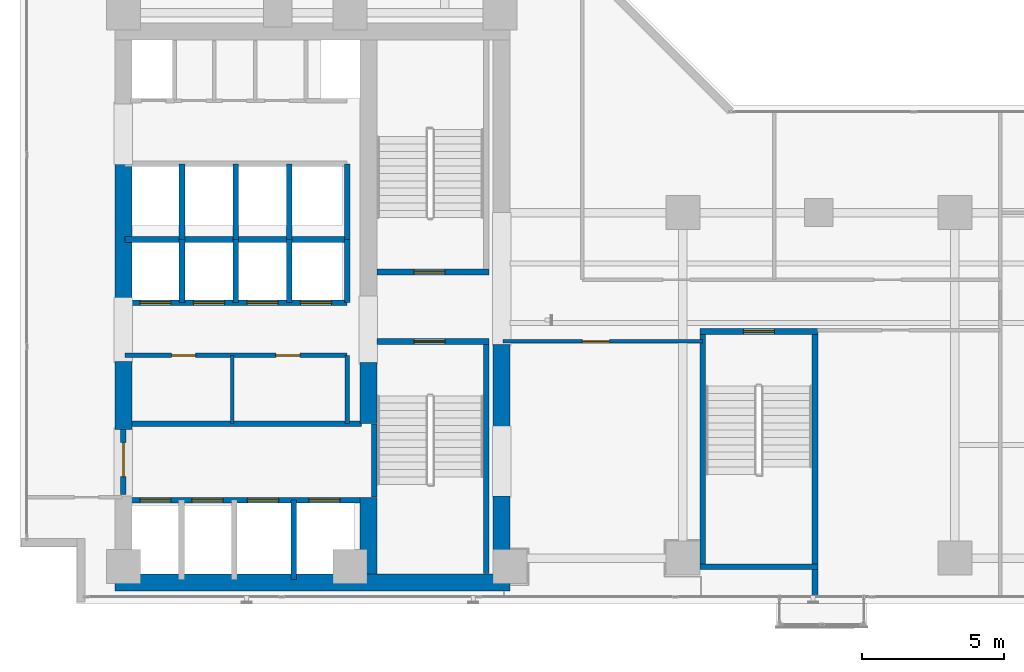
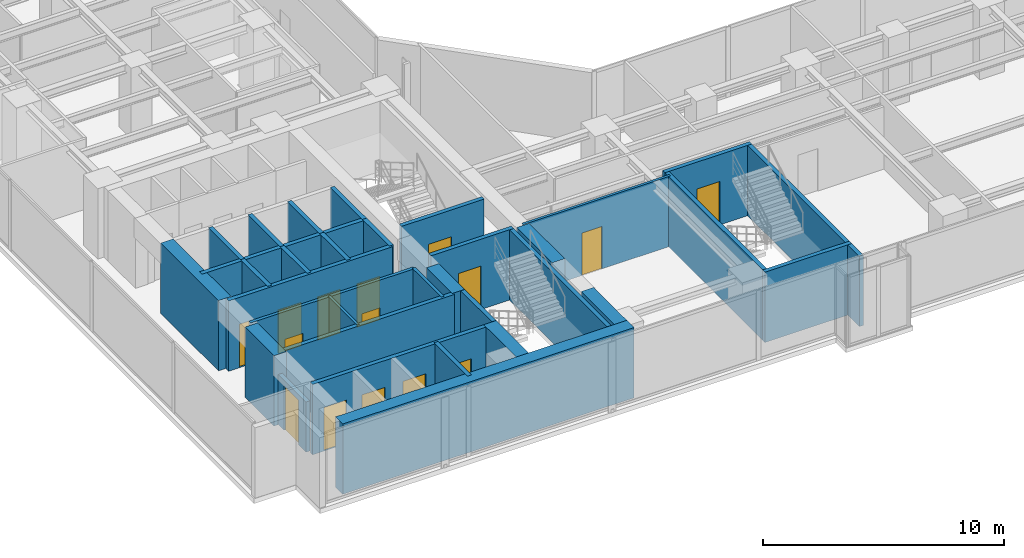
# One storey, part 19 of 24: 33 walls, 15 doors, 15 openings.
"""IFC4 building model written with IfcOpenShell, lengths in metres."""

from ifc_helpers import new_model, si_unit, direction, frame, frame_2d, origin, place, context, subcontext, project, spatial, rectangle, extrude, material, layer, layer_set, type_object, element, fill, save


model = new_model("IFC4")

# Units and contexts
model_context = context("Model", 3, precision=1e-05, world=origin(), true_north=direction((0.0, 1.0)))
body_context = subcontext(model_context, "Body", "Model", "MODEL_VIEW")
ifc_project = project(units=[si_unit("LENGTHUNIT", "METRE"), si_unit("AREAUNIT", "SQUARE_METRE"), si_unit("VOLUMEUNIT", "CUBIC_METRE"), si_unit("PLANEANGLEUNIT", "RADIAN"), si_unit("MASSUNIT", "GRAM", prefix="KILO")], contexts=[model_context])

# Site, building, storey
site_placement = place(None, origin())
site = spatial("IfcSite", under=ifc_project, at=site_placement, CompositionType="ELEMENT")
building_placement = place(site_placement, origin())
building = spatial("IfcBuilding", under=site, at=building_placement, Name="Kolvaren Waterfront Exchange", CompositionType="ELEMENT")
storey_placement = place(building_placement, frame((0.0, 0.0, 172.800048828125)))
storey = spatial("IfcBuildingStorey", under=building, at=storey_placement, Name="L44", CompositionType="ELEMENT", Elevation=172.800048828125)

# Wall, opening, door
ifc_material_1 = material(Name="Precast concrete C40/50", Category="concrete")
ifc_layer_1 = layer(ifc_material_1, 0.199951171875, Name="Precast concrete C40/50")
ifc_layer_set_1 = layer_set([ifc_layer_1], Name="Precast concrete C40/50")
wall_type_1 = type_object("IfcWallType", Name="ARC-FIRE-200", PredefinedType="PARTITIONING", material=ifc_layer_set_1)
wall_1_placement = place(storey_placement, frame((16.39990234375, 12.85009765625, 0.0), z_axis=(0.0, 0.0, 1.0), x_axis=(1.0, 0.0, 0.0)))
wall_1 = element("IfcWall", 1, at=wall_1_placement, inside=storey, type_object=wall_type_1, Name="L44 interior wall PW-L44-ST1-THROAT-S", PredefinedType="PARTITIONING", context=body_context, shape_type="SweptSolid", body=[
    extrude(rectangle(XDim=3.960205078125, YDim=0.199951171875, at=frame_2d((1.97998046875, 0.0))), origin(), (0.0, 0.0, 1.0), 3.56005859375),
])
opening_1_placement = place(wall_1_placement, frame((1.3037109375, 0.0, 0.0)))
opening_1 = element("IfcOpeningElement", 2, at=opening_1_placement, cuts=wall_1, Name="Opening FD2", PredefinedType="OPENING", context=body_context, shape_type="SweptSolid", body=[
    extrude(rectangle(XDim=1.10009765625, YDim=2.199951171875, at=frame_2d((0.550048828125, 1.10009765625))), frame((0.0, 0.10986328125, 0.0), z_axis=(0.0, -1.0, 0.0), x_axis=(1.0, 0.0, 0.0)), (0.0, 0.0, 1.0), 0.219970703125),
])
ifc_material_2 = material(Name="Pressed steel smoke-seal fire door", Category="steel")
door_type_1 = type_object("IfcDoorType", Name="ARC-FD-1100", OperationType="NOTDEFINED", PredefinedType="DOOR", material=ifc_material_2)
door_1_placement = place(opening_1_placement, frame((1.10009765625, 0.0, 0.0), z_axis=(0.0, 0.0, 1.0), x_axis=(-1.0, 0.0, 0.0)))
door_1 = element("IfcDoor", 3, at=door_1_placement, inside=storey, type_object=door_type_1, Name="L44 door DR-L44-ST1-IN (FD2)", OperationType="SINGLE_SWING_LEFT", OverallHeight=2.199951171875, OverallWidth=1.10009765625, PredefinedType="DOOR", context=body_context, shape_type="SweptSolid", body=[
    extrude(rectangle(XDim=1.10009765625, YDim=2.199951171875, at=frame_2d((0.550048828125, 1.10009765625))), frame((0.0, 0.02490234375, 0.0), z_axis=(0.0, -1.0, 0.0), x_axis=(1.0, 0.0, 0.0)), (0.0, 0.0, 1.0), 0.050048828125),
])
fill(opening_1, door_1)

wall_2_placement = place(storey_placement, frame((16.409912109375, 15.300048828125, 0.0), z_axis=(0.0, 0.0, 1.0), x_axis=(1.0, 0.0, 0.0)))
wall_2 = element("IfcWall", 4, at=wall_2_placement, inside=storey, type_object=wall_type_1, Name="L44 interior wall PW-L44-ST2-THROAT-N", PredefinedType="PARTITIONING", context=body_context, shape_type="SweptSolid", body=[
    extrude(rectangle(XDim=3.9501953125, YDim=0.199951171875, at=frame_2d((1.97509765625, 0.0))), origin(), (0.0, 0.0, 1.0), 3.56005859375),
])
opening_2_placement = place(wall_2_placement, frame((1.293701171875, 0.0, 0.0)))
opening_2 = element("IfcOpeningElement", 5, at=opening_2_placement, cuts=wall_2, Name="Opening FD2", PredefinedType="OPENING", context=body_context, shape_type="SweptSolid", body=[
    extrude(rectangle(XDim=1.10009765625, YDim=2.199951171875, at=frame_2d((0.550048828125, 1.10009765625))), frame((0.0, 0.10986328125, 0.0), z_axis=(0.0, -1.0, 0.0), x_axis=(1.0, 0.0, 0.0)), (0.0, 0.0, 1.0), 0.219970703125),
])
door_2_placement = place(opening_2_placement, origin())
door_2 = element("IfcDoor", 6, at=door_2_placement, inside=storey, type_object=door_type_1, Name="L44 door DR-L44-ST2-IN (FD2)", OperationType="SINGLE_SWING_RIGHT", OverallHeight=2.199951171875, OverallWidth=1.10009765625, PredefinedType="DOOR", context=body_context, shape_type="SweptSolid", body=[
    extrude(rectangle(XDim=1.10009765625, YDim=2.199951171875, at=frame_2d((0.550048828125, 1.10009765625))), frame((0.0, 0.02490234375, 0.0), z_axis=(0.0, -1.0, 0.0), x_axis=(1.0, 0.0, 0.0)), (0.0, 0.0, 1.0), 0.050048828125),
])
fill(opening_2, door_2)

# Wall
wall_3_placement = place(storey_placement, frame((7.5, 9.949951171875, 0.0), z_axis=(0.0, 0.0, 1.0), x_axis=(1.0, 0.0, 0.0)))
element("IfcWall", 7, at=wall_3_placement, inside=storey, type_object=wall_type_1, Name="L44 interior wall PW-L44-FF-N", PredefinedType="PARTITIONING", context=body_context, shape_type="SweptSolid", body=[
    extrude(rectangle(XDim=8.35009765625, YDim=0.199951171875, at=frame_2d((4.175048828125, 0.0))), origin(), (0.0, 0.0, 1.0), 3.56005859375),
])

# Wall, opening, door
wall_4_placement = place(storey_placement, frame((7.449951171875, 7.449951171875, 0.0), z_axis=(0.0, 0.0, 1.0), x_axis=(0.0, 1.0, 0.0)))
wall_4 = element("IfcWall", 8, at=wall_4_placement, inside=storey, type_object=wall_type_1, Name="L44 interior wall PW-L44-FF-W-DOOR", PredefinedType="PARTITIONING", context=body_context, shape_type="SweptSolid", body=[
    extrude(rectangle(XDim=2.300048828125, YDim=0.199951171875, at=frame_2d((1.14990234375, 0.0))), origin(), (0.0, 0.0, 1.0), 2.5400390625),
])
opening_3_placement = place(wall_4_placement, frame((0.63330078125, 0.0, 0.0)))
opening_3 = element("IfcOpeningElement", 9, at=opening_3_placement, cuts=wall_4, Name="Opening FD3", PredefinedType="OPENING", context=body_context, shape_type="SweptSolid", body=[
    extrude(rectangle(XDim=1.199951171875, YDim=2.25, at=frame_2d((0.60009765625, 1.125))), frame((0.0, 0.10986328125, 0.0), z_axis=(0.0, -1.0, 0.0), x_axis=(1.0, 0.0, 0.0)), (0.0, 0.0, 1.0), 0.219970703125),
])
ifc_material_3 = material(Name="Pressed steel fire door", Category="steel")
door_type_2 = type_object("IfcDoorType", Name="ARC-FD-1200", OperationType="NOTDEFINED", PredefinedType="DOOR", material=ifc_material_3)
door_3_placement = place(opening_3_placement, frame((1.199951171875, 0.0, 0.0), z_axis=(0.0, 0.0, 1.0), x_axis=(-1.0, 0.0, 0.0)))
door_3 = element("IfcDoor", 10, at=door_3_placement, inside=storey, type_object=door_type_2, Name="L44 door DR-L44-FF-OUT (FD3)", OperationType="SINGLE_SWING_RIGHT", OverallHeight=2.25, OverallWidth=1.199951171875, PredefinedType="DOOR", context=body_context, shape_type="SweptSolid", body=[
    extrude(rectangle(XDim=1.199951171875, YDim=2.25, at=frame_2d((0.60009765625, 1.125))), frame((0.0, 0.02490234375, 0.0), z_axis=(0.0, -1.0, 0.0), x_axis=(1.0, 0.0, 0.0)), (0.0, 0.0, 1.0), 0.050048828125),
])
fill(opening_3, door_3)

# Wall
ifc_material_4 = material(Name="Acoustic gypsum steel stud", Category="steel")
ifc_layer_2 = layer(ifc_material_4, 0.125, Name="Acoustic gypsum steel stud")
ifc_layer_set_2 = layer_set([ifc_layer_2], Name="Acoustic gypsum steel stud")
wall_type_2 = type_object("IfcWallType", Name="ARC-PART-125", PredefinedType="PARTITIONING", material=ifc_layer_set_2)
wall_5_placement = place(storey_placement, frame((11.300048828125, 9.949951171875, 0.0), z_axis=(0.0, 0.0, 1.0), x_axis=(0.0, 1.0, 0.0)))
element("IfcWall", 11, at=wall_5_placement, inside=storey, type_object=wall_type_2, Name="L44 interior wall PW-L44-REC-PL-MID", PredefinedType="PARTITIONING", context=body_context, shape_type="SweptSolid", body=[
    extrude(rectangle(XDim=2.41015625, YDim=0.125, at=frame_2d((1.205078125, 0.0))), origin(), (0.0, 0.0, 1.0), 3.56005859375),
])

# Wall, opening, door
wall_6_placement = place(storey_placement, frame((20.85009765625, 12.85009765625, 0.0), z_axis=(0.0, 0.0, 1.0), x_axis=(1.0, 0.0, 0.0)))
wall_6 = element("IfcWall", 12, at=wall_6_placement, inside=storey, type_object=wall_type_2, Name="L44 interior wall PW-L44-SWST3-N", PredefinedType="PARTITIONING", context=body_context, shape_type="SweptSolid", body=[
    extrude(rectangle(XDim=7.0498046875, YDim=0.125, at=frame_2d((3.52490234375, 0.0))), origin(), (0.0, 0.0, 1.0), 3.56005859375),
])
opening_4_placement = place(wall_6_placement, frame((2.800048828125, 0.0, 0.0)))
opening_4 = element("IfcOpeningElement", 13, at=opening_4_placement, cuts=wall_6, Name="Opening D02", PredefinedType="OPENING", context=body_context, shape_type="SweptSolid", body=[
    extrude(rectangle(XDim=0.949951171875, YDim=2.14990234375, at=frame_2d((0.47509765625, 1.074951171875))), frame((0.0, 0.072509765625, 0.0), z_axis=(0.0, -1.0, 0.0), x_axis=(1.0, 0.0, 0.0)), (0.0, 0.0, 1.0), 0.14501953125),
])
ifc_material_5 = material(Name="Oak veneer acoustic timber", Category="wood")
door_type_3 = type_object("IfcDoorType", Name="ARC-DR-950", OperationType="NOTDEFINED", PredefinedType="DOOR", material=ifc_material_5)
door_4_placement = place(opening_4_placement, origin())
door_4 = element("IfcDoor", 14, at=door_4_placement, inside=storey, type_object=door_type_3, Name="L44 door DR-L44-SWST3-D (D02)", OperationType="SINGLE_SWING_LEFT", OverallHeight=2.14990234375, OverallWidth=0.949951171875, PredefinedType="DOOR", context=body_context, shape_type="SweptSolid", body=[
    extrude(rectangle(XDim=0.949951171875, YDim=2.14990234375, at=frame_2d((0.47509765625, 1.074951171875))), frame((0.0, 0.02490234375, 0.0), z_axis=(0.0, -1.0, 0.0), x_axis=(1.0, 0.0, 0.0)), (0.0, 0.0, 1.0), 0.050048828125),
])
fill(opening_4, door_4)

# Wall, openings, doors
ifc_material_6 = material(Name="Gypsum fireboard steel stud", Category="steel")
ifc_layer_3 = layer(ifc_material_6, 0.14990234375, Name="Gypsum fireboard steel stud")
ifc_layer_set_3 = layer_set([ifc_layer_3], Name="Gypsum fireboard steel stud")
wall_type_3 = type_object("IfcWallType", Name="ARC-PART-150", PredefinedType="PARTITIONING", material=ifc_layer_set_3)
wall_7_placement = place(storey_placement, frame((7.5, 12.360107421875, 0.0), z_axis=(0.0, 0.0, 1.0), x_axis=(1.0, 0.0, 0.0)))
wall_7 = element("IfcWall", 15, at=wall_7_placement, inside=storey, type_object=wall_type_3, Name="L44 interior wall PW-L44-REC-PL-N", PredefinedType="PARTITIONING", context=body_context, shape_type="SweptSolid", body=[
    extrude(rectangle(XDim=7.85009765625, YDim=0.14990234375, at=frame_2d((3.925048828125, 0.0))), origin(), (0.0, 0.0, 1.0), 3.56005859375),
])
opening_5_placement = place(wall_7_placement, frame((1.64990234375, 0.0, 0.0)))
opening_5 = element("IfcOpeningElement", 16, at=opening_5_placement, cuts=wall_7, Name="Opening D01", PredefinedType="OPENING", context=body_context, shape_type="SweptSolid", body=[
    extrude(rectangle(XDim=0.85009765625, YDim=2.14990234375, at=frame_2d((0.425048828125, 1.074951171875))), frame((0.0, 0.0849609375, 0.0), z_axis=(0.0, -1.0, 0.0), x_axis=(1.0, 0.0, 0.0)), (0.0, 0.0, 1.0), 0.169921875),
])
opening_6_placement = place(wall_7_placement, frame((5.329345703125, 0.0, 0.0)))
opening_6 = element("IfcOpeningElement", 17, at=opening_6_placement, cuts=wall_7, Name="Opening D01", PredefinedType="OPENING", context=body_context, shape_type="SweptSolid", body=[
    extrude(rectangle(XDim=0.85009765625, YDim=2.14990234375, at=frame_2d((0.425048828125, 1.074951171875))), frame((0.0, 0.0849609375, 0.0), z_axis=(0.0, -1.0, 0.0), x_axis=(1.0, 0.0, 0.0)), (0.0, 0.0, 1.0), 0.169921875),
])
ifc_material_7 = material(Name="Oak veneer timber leaf", Category="wood")
door_type_4 = type_object("IfcDoorType", Name="ARC-DR-900", OperationType="NOTDEFINED", PredefinedType="DOOR", material=ifc_material_7)
door_5_placement = place(opening_5_placement, origin())
door_5 = element("IfcDoor", 18, at=door_5_placement, inside=storey, type_object=door_type_4, Name="L44 door DR-L44-REC-PL-D1 (D01)", OperationType="SINGLE_SWING_LEFT", OverallHeight=2.14990234375, OverallWidth=0.85009765625, PredefinedType="DOOR", context=body_context, shape_type="SweptSolid", body=[
    extrude(rectangle(XDim=0.85009765625, YDim=2.14990234375, at=frame_2d((0.425048828125, 1.074951171875))), frame((0.0, 0.02490234375, 0.0), z_axis=(0.0, -1.0, 0.0), x_axis=(1.0, 0.0, 0.0)), (0.0, 0.0, 1.0), 0.050048828125),
])
fill(opening_5, door_5)
door_6_placement = place(opening_6_placement, origin())
door_6 = element("IfcDoor", 19, at=door_6_placement, inside=storey, type_object=door_type_4, Name="L44 door DR-L44-REC-PL-D2 (D01)", OperationType="SINGLE_SWING_RIGHT", OverallHeight=2.14990234375, OverallWidth=0.85009765625, PredefinedType="DOOR", context=body_context, shape_type="SweptSolid", body=[
    extrude(rectangle(XDim=0.85009765625, YDim=2.14990234375, at=frame_2d((0.425048828125, 1.074951171875))), frame((0.0, 0.02490234375, 0.0), z_axis=(0.0, -1.0, 0.0), x_axis=(1.0, 0.0, 0.0)), (0.0, 0.0, 1.0), 0.050048828125),
])
fill(opening_6, door_6)

# Walls
wall_8_placement = place(storey_placement, frame((15.35009765625, 9.949951171875, 0.0), z_axis=(0.0, 0.0, 1.0), x_axis=(0.0, 1.0, 0.0)))
element("IfcWall", 20, at=wall_8_placement, inside=storey, type_object=wall_type_3, Name="L44 interior wall PW-L44-REC-PL-E", PredefinedType="PARTITIONING", context=body_context, shape_type="SweptSolid", body=[
    extrude(rectangle(XDim=2.41015625, YDim=0.14990234375, at=frame_2d((1.205078125, 0.0))), origin(), (0.0, 0.0, 1.0), 3.56005859375),
])
ifc_material_8 = material(Name="Concrete C40/50", Category="concrete")
ifc_layer_4 = layer(ifc_material_8, 0.199951171875, Name="Concrete C40/50")
ifc_layer_set_4 = layer_set([ifc_layer_4], Name="Concrete C40/50")
wall_type_4 = type_object("IfcWallType", Name="ARC-SHAFT-200", PredefinedType="PARTITIONING", material=ifc_layer_set_4)
wall_9_placement = place(storey_placement, frame((16.300048828125, 7.360107421875, 0.0), z_axis=(0.0, 0.0, 1.0), x_axis=(0.0, 1.0, 0.0)))
element("IfcWall", 21, at=wall_9_placement, inside=storey, type_object=wall_type_4, Name="L44 structural stairwell wall PW-L44-ST1-W", PredefinedType="SHEAR", context=body_context, shape_type="SweptSolid", body=[
    extrude(rectangle(XDim=2.579833984375, YDim=0.199951171875, at=frame_2d((1.2900390625, 0.0))), origin(), (0.0, 0.0, 1.0), 3.56005859375),
])
wall_10_placement = place(storey_placement, frame((20.260009765625, 4.659912109375, 0.0), z_axis=(0.0, 0.0, 1.0), x_axis=(0.0, 1.0, 0.0)))
element("IfcWall", 22, at=wall_10_placement, inside=storey, type_object=wall_type_4, Name="L44 structural stairwell wall PW-L44-ST1-E", PredefinedType="SHEAR", context=body_context, shape_type="SweptSolid", body=[
    extrude(rectangle(XDim=8.090087890625, YDim=0.199951171875, at=frame_2d((4.044921875, 0.0))), origin(), (0.0, 0.0, 1.0), 3.56005859375),
])
wall_11_placement = place(storey_placement, frame((27.89990234375, 5.0, 0.0), z_axis=(0.0, 0.0, 1.0), x_axis=(0.0, 1.0, 0.0)))
element("IfcWall", 23, at=wall_11_placement, inside=storey, type_object=wall_type_4, Name="L44 structural stairwell wall PW-L44-ST3-W", PredefinedType="SHEAR", context=body_context, shape_type="SweptSolid", body=[
    extrude(rectangle(XDim=8.10009765625, YDim=0.199951171875, at=frame_2d((4.050048828125, 0.0))), origin(), (0.0, 0.0, 1.0), 3.56005859375),
])
wall_12_placement = place(storey_placement, frame((31.860107421875, 3.840087890625, 0.0), z_axis=(0.0, 0.0, 1.0), x_axis=(0.0, 1.0, 0.0)))
element("IfcWall", 24, at=wall_12_placement, inside=storey, type_object=wall_type_4, Name="L44 structural stairwell wall PW-L44-ST3-E", PredefinedType="SHEAR", context=body_context, shape_type="SweptSolid", body=[
    extrude(rectangle(XDim=9.409912109375, YDim=0.199951171875, at=frame_2d((4.705078125, 0.0))), origin(), (0.0, 0.0, 1.0), 3.56005859375),
])
wall_13_placement = place(storey_placement, frame((27.800048828125, 4.89990234375, 0.0), z_axis=(0.0, 0.0, 1.0), x_axis=(1.0, 0.0, 0.0)))
element("IfcWall", 25, at=wall_13_placement, inside=storey, type_object=wall_type_4, Name="L44 structural stairwell wall PW-L44-ST3-S", PredefinedType="SHEAR", context=body_context, shape_type="SweptSolid", body=[
    extrude(rectangle(XDim=4.159912109375, YDim=0.199951171875, at=frame_2d((2.080078125, 0.0))), origin(), (0.0, 0.0, 1.0), 3.56005859375),
])

# Wall, opening, door
wall_14_placement = place(storey_placement, frame((27.800048828125, 13.199951171875, 0.0), z_axis=(0.0, 0.0, 1.0), x_axis=(1.0, 0.0, 0.0)))
wall_14 = element("IfcWall", 26, at=wall_14_placement, inside=storey, type_object=wall_type_4, Name="L44 structural stairwell wall PW-L44-ST3-N", PredefinedType="SHEAR", context=body_context, shape_type="SweptSolid", body=[
    extrude(rectangle(XDim=4.159912109375, YDim=0.199951171875, at=frame_2d((2.080078125, 0.0))), origin(), (0.0, 0.0, 1.0), 3.56005859375),
])
opening_7_placement = place(wall_14_placement, frame((1.530029296875, 0.0, 0.0)))
opening_7 = element("IfcOpeningElement", 27, at=opening_7_placement, cuts=wall_14, Name="Opening FD2", PredefinedType="OPENING", context=body_context, shape_type="SweptSolid", body=[
    extrude(rectangle(XDim=1.10009765625, YDim=2.199951171875, at=frame_2d((0.550048828125, 1.10009765625))), frame((0.0, 0.10986328125, 0.0), z_axis=(0.0, -1.0, 0.0), x_axis=(1.0, 0.0, 0.0)), (0.0, 0.0, 1.0), 0.219970703125),
])
door_7_placement = place(opening_7_placement, frame((1.10009765625, 0.0, 0.0), z_axis=(0.0, 0.0, 1.0), x_axis=(-1.0, 0.0, 0.0)))
door_7 = element("IfcDoor", 28, at=door_7_placement, inside=storey, type_object=door_type_1, Name="L44 door DR-L44-ST3-IN (FD2)", OperationType="SINGLE_SWING_LEFT", OverallHeight=2.199951171875, OverallWidth=1.10009765625, PredefinedType="DOOR", context=body_context, shape_type="SweptSolid", body=[
    extrude(rectangle(XDim=1.10009765625, YDim=2.199951171875, at=frame_2d((0.550048828125, 1.10009765625))), frame((0.0, 0.02490234375, 0.0), z_axis=(0.0, -1.0, 0.0), x_axis=(1.0, 0.0, 0.0)), (0.0, 0.0, 1.0), 0.050048828125),
])
fill(opening_7, door_7)

# Wall, openings, doors
wall_15_placement = place(storey_placement, frame((7.5, 7.25, 0.0), z_axis=(0.0, 0.0, 1.0), x_axis=(1.0, 0.0, 0.0)))
wall_15 = element("IfcWall", 29, at=wall_15_placement, inside=storey, type_object=wall_type_4, Name="L44 interior wall PW-L44-FF-S", PredefinedType="PARTITIONING", context=body_context, shape_type="SweptSolid", body=[
    extrude(rectangle(XDim=8.35009765625, YDim=0.199951171875, at=frame_2d((4.175048828125, 0.0))), origin(), (0.0, 0.0, 1.0), 3.56005859375),
])
opening_8_placement = place(wall_15_placement, frame((0.530029296875, 0.0, 0.0)))
opening_8 = element("IfcOpeningElement", 30, at=opening_8_placement, cuts=wall_15, Name="Opening LD1", PredefinedType="OPENING", context=body_context, shape_type="SweptSolid", body=[
    extrude(rectangle(XDim=1.10009765625, YDim=2.199951171875, at=frame_2d((0.550048828125, 1.10009765625))), frame((0.0, 0.10986328125, 0.0), z_axis=(0.0, -1.0, 0.0), x_axis=(1.0, 0.0, 0.0)), (0.0, 0.0, 1.0), 0.219970703125),
])
opening_9_placement = place(wall_15_placement, frame((2.3701171875, 0.0, 0.0)))
opening_9 = element("IfcOpeningElement", 31, at=opening_9_placement, cuts=wall_15, Name="Opening LD1", PredefinedType="OPENING", context=body_context, shape_type="SweptSolid", body=[
    extrude(rectangle(XDim=1.10009765625, YDim=2.199951171875, at=frame_2d((0.550048828125, 1.10009765625))), frame((0.0, 0.10986328125, 0.0), z_axis=(0.0, -1.0, 0.0), x_axis=(1.0, 0.0, 0.0)), (0.0, 0.0, 1.0), 0.219970703125),
])
opening_10_placement = place(wall_15_placement, frame((4.330078125, 0.0, 0.0)))
opening_10 = element("IfcOpeningElement", 32, at=opening_10_placement, cuts=wall_15, Name="Opening LD1", PredefinedType="OPENING", context=body_context, shape_type="SweptSolid", body=[
    extrude(rectangle(XDim=1.10009765625, YDim=2.199951171875, at=frame_2d((0.550048828125, 1.10009765625))), frame((0.0, 0.10986328125, 0.0), z_axis=(0.0, -1.0, 0.0), x_axis=(1.0, 0.0, 0.0)), (0.0, 0.0, 1.0), 0.219970703125),
])
opening_11_placement = place(wall_15_placement, frame((6.5, 0.0, 0.0)))
opening_11 = element("IfcOpeningElement", 33, at=opening_11_placement, cuts=wall_15, Name="Opening LD1", PredefinedType="OPENING", context=body_context, shape_type="SweptSolid", body=[
    extrude(rectangle(XDim=1.10009765625, YDim=2.199951171875, at=frame_2d((0.550048828125, 1.10009765625))), frame((0.0, 0.10986328125, 0.0), z_axis=(0.0, -1.0, 0.0), x_axis=(1.0, 0.0, 0.0)), (0.0, 0.0, 1.0), 0.219970703125),
])
ifc_material_9 = material(Name="Stainless steel sliding landing door", Category="steel")
door_type_5 = type_object("IfcDoorType", Name="ARC-LD-FF", OperationType="SLIDING_TO_LEFT", PredefinedType="DOOR", material=ifc_material_9)
door_8_placement = place(opening_8_placement, origin())
door_8 = element("IfcDoor", 34, at=door_8_placement, inside=storey, type_object=door_type_5, Name="L44 door LD-L44-FFL1 (LD1)", OperationType="SLIDING_TO_LEFT", OverallHeight=2.199951171875, OverallWidth=1.10009765625, PredefinedType="DOOR", context=body_context, shape_type="SweptSolid", body=[
    extrude(rectangle(XDim=1.10009765625, YDim=2.199951171875, at=frame_2d((0.550048828125, 1.10009765625))), frame((0.0, 0.02490234375, 0.0), z_axis=(0.0, -1.0, 0.0), x_axis=(1.0, 0.0, 0.0)), (0.0, 0.0, 1.0), 0.050048828125),
])
fill(opening_8, door_8)
door_9_placement = place(opening_9_placement, origin())
door_9 = element("IfcDoor", 35, at=door_9_placement, inside=storey, type_object=door_type_5, Name="L44 door LD-L44-FFL2 (LD1)", OperationType="SLIDING_TO_LEFT", OverallHeight=2.199951171875, OverallWidth=1.10009765625, PredefinedType="DOOR", context=body_context, shape_type="SweptSolid", body=[
    extrude(rectangle(XDim=1.10009765625, YDim=2.199951171875, at=frame_2d((0.550048828125, 1.10009765625))), frame((0.0, 0.02490234375, 0.0), z_axis=(0.0, -1.0, 0.0), x_axis=(1.0, 0.0, 0.0)), (0.0, 0.0, 1.0), 0.050048828125),
])
fill(opening_9, door_9)
door_10_placement = place(opening_10_placement, origin())
door_10 = element("IfcDoor", 36, at=door_10_placement, inside=storey, type_object=door_type_5, Name="L44 door LD-L44-GL1 (LD1)", OperationType="SLIDING_TO_LEFT", OverallHeight=2.199951171875, OverallWidth=1.10009765625, PredefinedType="DOOR", context=body_context, shape_type="SweptSolid", body=[
    extrude(rectangle(XDim=1.10009765625, YDim=2.199951171875, at=frame_2d((0.550048828125, 1.10009765625))), frame((0.0, 0.02490234375, 0.0), z_axis=(0.0, -1.0, 0.0), x_axis=(1.0, 0.0, 0.0)), (0.0, 0.0, 1.0), 0.050048828125),
])
fill(opening_10, door_10)
door_11_placement = place(opening_11_placement, origin())
door_11 = element("IfcDoor", 37, at=door_11_placement, inside=storey, type_object=door_type_5, Name="L44 door LD-L44-GL2 (LD1)", OperationType="SLIDING_TO_LEFT", OverallHeight=2.199951171875, OverallWidth=1.10009765625, PredefinedType="DOOR", context=body_context, shape_type="SweptSolid", body=[
    extrude(rectangle(XDim=1.10009765625, YDim=2.199951171875, at=frame_2d((0.550048828125, 1.10009765625))), frame((0.0, 0.02490234375, 0.0), z_axis=(0.0, -1.0, 0.0), x_axis=(1.0, 0.0, 0.0)), (0.0, 0.0, 1.0), 0.050048828125),
])
fill(opening_11, door_11)

# Wall
wall_16_placement = place(storey_placement, frame((13.4599609375, 4.449951171875, 0.0), z_axis=(0.0, 0.0, 1.0), x_axis=(0.0, 1.0, 0.0)))
element("IfcWall", 38, at=wall_16_placement, inside=storey, type_object=wall_type_4, Name="L44 interior wall PW-L44-SH1-DIV-134", PredefinedType="PARTITIONING", context=body_context, shape_type="SweptSolid", body=[
    extrude(rectangle(XDim=2.800048828125, YDim=0.199951171875, at=frame_2d((1.39990234375, 0.0))), origin(), (0.0, 0.0, 1.0), 3.56005859375),
])

# Wall, openings, doors
wall_17_placement = place(storey_placement, frame((7.5, 14.219970703125, 0.0), z_axis=(0.0, 0.0, 1.0), x_axis=(1.0, 0.0, 0.0)))
wall_17 = element("IfcWall", 39, at=wall_17_placement, inside=storey, type_object=wall_type_4, Name="L44 interior wall PW-L44-PM-S", PredefinedType="PARTITIONING", context=body_context, shape_type="SweptSolid", body=[
    extrude(rectangle(XDim=7.85009765625, YDim=0.199951171875, at=frame_2d((3.925048828125, 0.0))), origin(), (0.0, 0.0, 1.0), 3.56005859375),
])
opening_12_placement = place(wall_17_placement, frame((0.530029296875, 0.0, 0.0)))
opening_12 = element("IfcOpeningElement", 40, at=opening_12_placement, cuts=wall_17, Name="Opening LD2", PredefinedType="OPENING", context=body_context, shape_type="SweptSolid", body=[
    extrude(rectangle(XDim=1.10009765625, YDim=2.199951171875, at=frame_2d((0.550048828125, 1.10009765625))), frame((0.0, 0.10986328125, 0.0), z_axis=(0.0, -1.0, 0.0), x_axis=(1.0, 0.0, 0.0)), (0.0, 0.0, 1.0), 0.219970703125),
])
opening_13_placement = place(wall_17_placement, frame((2.419921875, 0.0, 0.0)))
opening_13 = element("IfcOpeningElement", 41, at=opening_13_placement, cuts=wall_17, Name="Opening LD2", PredefinedType="OPENING", context=body_context, shape_type="SweptSolid", body=[
    extrude(rectangle(XDim=1.10009765625, YDim=2.199951171875, at=frame_2d((0.550048828125, 1.10009765625))), frame((0.0, 0.10986328125, 0.0), z_axis=(0.0, -1.0, 0.0), x_axis=(1.0, 0.0, 0.0)), (0.0, 0.0, 1.0), 0.219970703125),
])
opening_14_placement = place(wall_17_placement, frame((4.31005859375, 0.0, 0.0)))
opening_14 = element("IfcOpeningElement", 42, at=opening_14_placement, cuts=wall_17, Name="Opening LD2", PredefinedType="OPENING", context=body_context, shape_type="SweptSolid", body=[
    extrude(rectangle(XDim=1.10009765625, YDim=2.199951171875, at=frame_2d((0.550048828125, 1.10009765625))), frame((0.0, 0.10986328125, 0.0), z_axis=(0.0, -1.0, 0.0), x_axis=(1.0, 0.0, 0.0)), (0.0, 0.0, 1.0), 0.219970703125),
])
opening_15_placement = place(wall_17_placement, frame((6.199951171875, 0.0, 0.0)))
opening_15 = element("IfcOpeningElement", 43, at=opening_15_placement, cuts=wall_17, Name="Opening LD2", PredefinedType="OPENING", context=body_context, shape_type="SweptSolid", body=[
    extrude(rectangle(XDim=1.10009765625, YDim=2.199951171875, at=frame_2d((0.550048828125, 1.10009765625))), frame((0.0, 0.10986328125, 0.0), z_axis=(0.0, -1.0, 0.0), x_axis=(1.0, 0.0, 0.0)), (0.0, 0.0, 1.0), 0.219970703125),
])
ifc_material_10 = material(Name="Brushed bronze sliding landing door", Category="aluminium")
door_type_6 = type_object("IfcDoorType", Name="ARC-LD-PAX", OperationType="SLIDING_TO_LEFT", PredefinedType="DOOR", material=ifc_material_10)
door_12_placement = place(opening_12_placement, frame((1.10009765625, 0.0, 0.0), z_axis=(0.0, 0.0, 1.0), x_axis=(-1.0, 0.0, 0.0)))
door_12 = element("IfcDoor", 44, at=door_12_placement, inside=storey, type_object=door_type_6, Name="L44 door LD-L44-PM1 (LD2)", OperationType="SLIDING_TO_LEFT", OverallHeight=2.199951171875, OverallWidth=1.10009765625, PredefinedType="DOOR", context=body_context, shape_type="SweptSolid", body=[
    extrude(rectangle(XDim=1.10009765625, YDim=2.199951171875, at=frame_2d((0.550048828125, 1.10009765625))), frame((0.0, 0.02490234375, 0.0), z_axis=(0.0, -1.0, 0.0), x_axis=(1.0, 0.0, 0.0)), (0.0, 0.0, 1.0), 0.050048828125),
])
fill(opening_12, door_12)
door_13_placement = place(opening_13_placement, frame((1.10009765625, 0.0, 0.0), z_axis=(0.0, 0.0, 1.0), x_axis=(-1.0, 0.0, 0.0)))
door_13 = element("IfcDoor", 45, at=door_13_placement, inside=storey, type_object=door_type_6, Name="L44 door LD-L44-PM2 (LD2)", OperationType="SLIDING_TO_LEFT", OverallHeight=2.199951171875, OverallWidth=1.10009765625, PredefinedType="DOOR", context=body_context, shape_type="SweptSolid", body=[
    extrude(rectangle(XDim=1.10009765625, YDim=2.199951171875, at=frame_2d((0.550048828125, 1.10009765625))), frame((0.0, 0.02490234375, 0.0), z_axis=(0.0, -1.0, 0.0), x_axis=(1.0, 0.0, 0.0)), (0.0, 0.0, 1.0), 0.050048828125),
])
fill(opening_13, door_13)
door_14_placement = place(opening_14_placement, frame((1.10009765625, 0.0, 0.0), z_axis=(0.0, 0.0, 1.0), x_axis=(-1.0, 0.0, 0.0)))
door_14 = element("IfcDoor", 46, at=door_14_placement, inside=storey, type_object=door_type_6, Name="L44 door LD-L44-PM3 (LD2)", OperationType="SLIDING_TO_LEFT", OverallHeight=2.199951171875, OverallWidth=1.10009765625, PredefinedType="DOOR", context=body_context, shape_type="SweptSolid", body=[
    extrude(rectangle(XDim=1.10009765625, YDim=2.199951171875, at=frame_2d((0.550048828125, 1.10009765625))), frame((0.0, 0.02490234375, 0.0), z_axis=(0.0, -1.0, 0.0), x_axis=(1.0, 0.0, 0.0)), (0.0, 0.0, 1.0), 0.050048828125),
])
fill(opening_14, door_14)
door_15_placement = place(opening_15_placement, frame((1.10009765625, 0.0, 0.0), z_axis=(0.0, 0.0, 1.0), x_axis=(-1.0, 0.0, 0.0)))
door_15 = element("IfcDoor", 47, at=door_15_placement, inside=storey, type_object=door_type_6, Name="L44 door LD-L44-PM4 (LD2)", OperationType="SLIDING_TO_LEFT", OverallHeight=2.199951171875, OverallWidth=1.10009765625, PredefinedType="DOOR", context=body_context, shape_type="SweptSolid", body=[
    extrude(rectangle(XDim=1.10009765625, YDim=2.199951171875, at=frame_2d((0.550048828125, 1.10009765625))), frame((0.0, 0.02490234375, 0.0), z_axis=(0.0, -1.0, 0.0), x_axis=(1.0, 0.0, 0.0)), (0.0, 0.0, 1.0), 0.050048828125),
])
fill(opening_15, door_15)

# Walls
wall_18_placement = place(storey_placement, frame((7.5, 16.449951171875, 0.0), z_axis=(0.0, 0.0, 1.0), x_axis=(1.0, 0.0, 0.0)))
element("IfcWall", 48, at=wall_18_placement, inside=storey, type_object=wall_type_4, Name="L44 interior wall PW-L44-PM-N", PredefinedType="PARTITIONING", context=body_context, shape_type="SweptSolid", body=[
    extrude(rectangle(XDim=7.85009765625, YDim=0.199951171875, at=frame_2d((3.925048828125, 0.0))), origin(), (0.0, 0.0, 1.0), 3.56005859375),
])
for number, where, z_axis, x_axis, name in (
    (49, (15.35009765625, 14.219970703125, 0.0), (0.0, 0.0, 1.0), (0.0, 1.0, 0.0), "L44 interior wall PW-L44-PM-E"),
    (50, (9.52001953125, 14.219970703125, 0.0), (0.0, 0.0, 1.0), (0.0, 1.0, 0.0), "L44 interior wall PW-L44-SH3-DIV-95"),
    (51, (11.409912109375, 14.219970703125, 0.0), (0.0, 0.0, 1.0), (0.0, 1.0, 0.0), "L44 interior wall PW-L44-SH3-DIV-114"),
    (52, (13.300048828125, 14.219970703125, 0.0), (0.0, 0.0, 1.0), (0.0, 1.0, 0.0), "L44 interior wall PW-L44-SH3-DIV-133"),
):
    element("IfcWall", number, at=place(storey_placement, frame(where, z_axis=z_axis, x_axis=x_axis)), inside=storey, type_object=wall_type_4, Name=name, PredefinedType="PARTITIONING", context=body_context, shape_type="SweptSolid", body=[
        extrude(rectangle(XDim=2.22998046875, YDim=0.199951171875, at=frame_2d((1.114990234375, 0.0))), origin(), (0.0, 0.0, 1.0), 3.56005859375),
    ])
for number, where, z_axis, x_axis, name in (
    (53, (15.35009765625, 16.449951171875, 0.0), (0.0, 0.0, 1.0), (0.0, 1.0, 0.0), "L44 interior wall PW-L44-PH-E"),
    (54, (9.52001953125, 16.449951171875, 0.0), (0.0, 0.0, 1.0), (0.0, 1.0, 0.0), "L44 interior wall PW-L44-SH4-DIV-95"),
    (55, (11.409912109375, 16.449951171875, 0.0), (0.0, 0.0, 1.0), (0.0, 1.0, 0.0), "L44 interior wall PW-L44-SH4-DIV-114"),
    (56, (13.300048828125, 16.449951171875, 0.0), (0.0, 0.0, 1.0), (0.0, 1.0, 0.0), "L44 interior wall PW-L44-SH4-DIV-133"),
):
    element("IfcWall", number, at=place(storey_placement, frame(where, z_axis=z_axis, x_axis=x_axis)), inside=storey, type_object=wall_type_4, Name=name, PredefinedType="PARTITIONING", context=body_context, shape_type="SweptSolid", body=[
        extrude(rectangle(XDim=2.670166015625, YDim=0.199951171875, at=frame_2d((1.3349609375, 0.0))), origin(), (0.0, 0.0, 1.0), 3.56005859375),
    ])
ifc_material_11 = material(Name="Concrete C60/75", Category="concrete")
ifc_layer_5 = layer(ifc_material_11, 0.60009765625, Name="Concrete C60/75")
ifc_layer_set_5 = layer_set([ifc_layer_5], Name="Concrete C60/75")
wall_type_5 = type_object("IfcWallType", Name="STR-CWALL-600", PredefinedType="SHEAR", material=ifc_layer_set_5)
wall_19_placement = place(storey_placement, frame((7.14990234375, 4.35009765625, 0.0), z_axis=(0.0, 0.0, 1.0), x_axis=(1.0, 0.0, 0.0)))
element("IfcWall", 57, at=wall_19_placement, inside=storey, type_object=wall_type_5, Name="L44 rear-core shear wall S", PredefinedType="SHEAR", context=body_context, shape_type="SweptSolid", body=[
    extrude(rectangle(XDim=13.9501953125, YDim=0.60009765625, at=frame_2d((6.97509765625, 0.0))), origin(), (0.0, 0.0, 1.0), 3.56005859375),
])
wall_20_placement = place(storey_placement, frame((7.449951171875, 9.75, 0.0), z_axis=(0.0, 0.0, 1.0), x_axis=(0.0, 1.0, 0.0)))
element("IfcWall", 58, at=wall_20_placement, inside=storey, type_object=wall_type_5, Name="L44 rear-core shear wall W2A", PredefinedType="SHEAR", context=body_context, shape_type="SweptSolid", body=[
    extrude(rectangle(XDim=2.39990234375, YDim=0.60009765625, at=frame_2d((1.199951171875, 0.0))), origin(), (0.0, 0.0, 1.0), 3.56005859375),
])
wall_21_placement = place(storey_placement, frame((7.449951171875, 14.35009765625, 0.0), z_axis=(0.0, 0.0, 1.0), x_axis=(0.0, 1.0, 0.0)))
element("IfcWall", 59, at=wall_21_placement, inside=storey, type_object=wall_type_5, Name="L44 rear-core shear wall W2B", PredefinedType="SHEAR", context=body_context, shape_type="SweptSolid", body=[
    extrude(rectangle(XDim=4.809814453125, YDim=0.60009765625, at=frame_2d((2.40478515625, 0.0))), origin(), (0.0, 0.0, 1.0), 3.56005859375),
])
wall_22_placement = place(storey_placement, frame((20.800048828125, 4.64990234375, 0.0), z_axis=(0.0, 0.0, 1.0), x_axis=(0.0, 1.0, 0.0)))
element("IfcWall", 60, at=wall_22_placement, inside=storey, type_object=wall_type_5, Name="L44 rear-core shear wall E1", PredefinedType="SHEAR", context=body_context, shape_type="SweptSolid", body=[
    extrude(rectangle(XDim=2.75, YDim=0.60009765625, at=frame_2d((1.375, 0.0))), origin(), (0.0, 0.0, 1.0), 3.56005859375),
])
wall_23_placement = place(storey_placement, frame((20.800048828125, 9.800048828125, 0.0), z_axis=(0.0, 0.0, 1.0), x_axis=(0.0, 1.0, 0.0)))
element("IfcWall", 61, at=wall_23_placement, inside=storey, type_object=wall_type_5, Name="L44 rear-core shear wall E2", PredefinedType="SHEAR", context=body_context, shape_type="SweptSolid", body=[
    extrude(rectangle(XDim=2.949951171875, YDim=0.60009765625, at=frame_2d((1.47509765625, 0.0))), origin(), (0.0, 0.0, 1.0), 3.56005859375),
])
wall_24_placement = place(storey_placement, frame((16.10009765625, 4.64990234375, 0.0), z_axis=(0.0, 0.0, 1.0), x_axis=(0.0, 1.0, 0.0)))
element("IfcWall", 62, at=wall_24_placement, inside=storey, type_object=wall_type_5, Name="L44 rear-core shear wall M1", PredefinedType="SHEAR", context=body_context, shape_type="SweptSolid", body=[
    extrude(rectangle(XDim=2.7001953125, YDim=0.60009765625, at=frame_2d((1.35009765625, 0.0))), origin(), (0.0, 0.0, 1.0), 3.56005859375),
])
wall_25_placement = place(storey_placement, frame((16.10009765625, 9.949951171875, 0.0), z_axis=(0.0, 0.0, 1.0), x_axis=(0.0, 1.0, 0.0)))
element("IfcWall", 63, at=wall_25_placement, inside=storey, type_object=wall_type_5, Name="L44 rear-core shear wall M2", PredefinedType="SHEAR", context=body_context, shape_type="SweptSolid", body=[
    extrude(rectangle(XDim=2.150146484375, YDim=0.60009765625, at=frame_2d((1.0751953125, 0.0))), origin(), (0.0, 0.0, 1.0), 3.56005859375),
])

save(model, "model.ifc")
